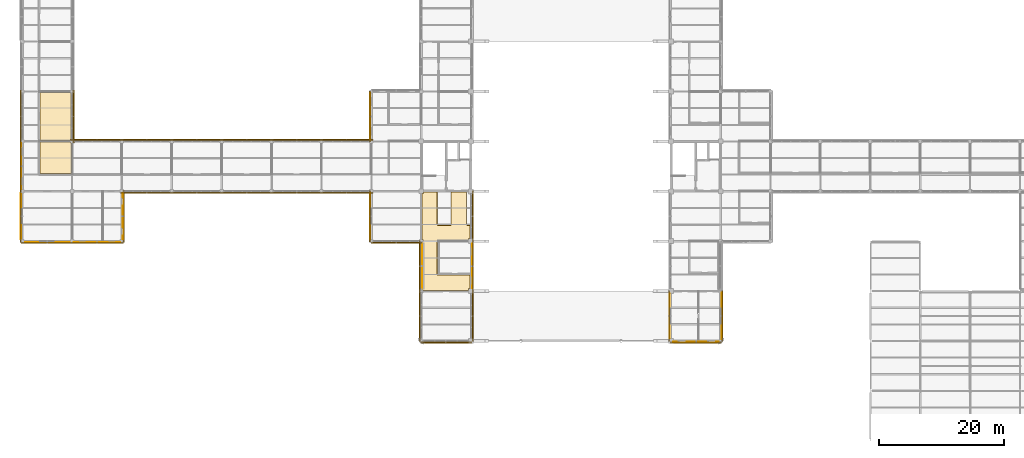
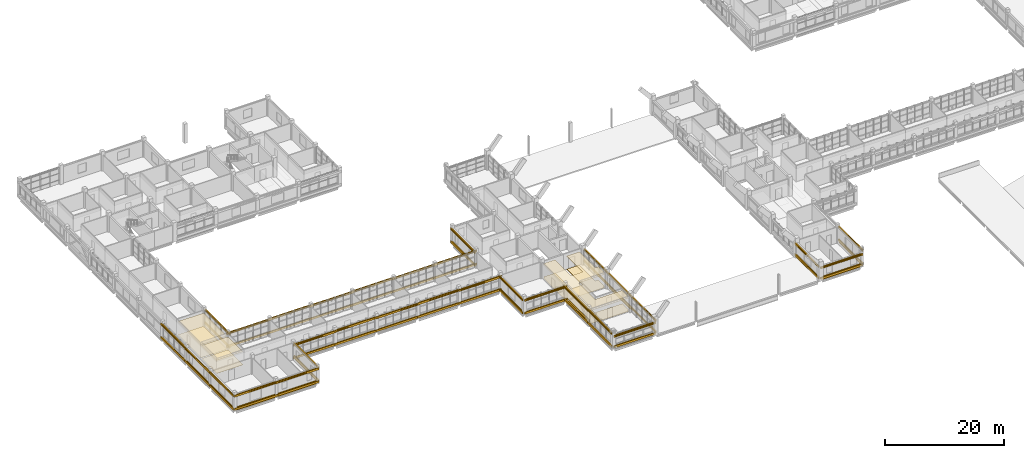
# One storey, part 83 of 92: 78 coverings, 30 shading devices.
"""IFC4 building model written with IfcOpenShell, lengths in metres."""

import ifcopenshell
import ifcopenshell.guid

model = None  # the IFC model being written
_history = None  # IfcOwnerHistory: only IFC2X3 demands one
_inside = {}  # id of a spatial element -> (the spatial element, [elements in it])
_under = {}  # id of a project, library or spatial element -> (it, [spatial elements below it])
_declared = {}  # id of a project -> (the project, [libraries it declares])
_typed = {}  # id of a type object -> (the type object, [elements of that type])
_made_of = {}  # id of a material, layer set ... -> (it, [elements and type objects made of it])


def new_model(schema):
    """Start an empty IFC model of exactly this schema.

    Asked for "IFC4X3", IfcOpenShell would pick the latest addendum, in which some entities
    have other attributes; the version numbers below select the first issue.
    IFC2X3 requires an IfcOwnerHistory on every rooted entity: one is made here for all.
    """
    global model, _history
    if schema == "IFC4X3":
        model = ifcopenshell.file(schema_version=(4, 3, 0, 0))
    else:
        model = ifcopenshell.file(schema=schema)
    _inside.clear()
    _under.clear()
    _declared.clear()
    _typed.clear()
    _made_of.clear()
    _history = None
    if model.schema == "IFC2X3":
        org = make("IfcOrganization", Name="unknown")
        user = make(
            "IfcPersonAndOrganization",
            ThePerson=make("IfcPerson", FamilyName="unknown"),
            TheOrganization=org,
        )
        app = make(
            "IfcApplication",
            ApplicationDeveloper=org,
            Version="unknown",
            ApplicationFullName="unknown",
            ApplicationIdentifier="unknown",
        )
        _history = make(
            "IfcOwnerHistory",
            OwningUser=user,
            OwningApplication=app,
            ChangeAction="ADDED",
            CreationDate=0,
        )
    return model


def make(cls, **values):
    """One entity of the class cls with the attributes given. An attribute that is None is left unset."""
    return model.create_entity(
        cls, **{name: value for name, value in values.items() if value is not None}
    )


def rooted(cls, **values):
    """An entity with a GlobalId (a new one), such as an element, a storey or a relation."""
    return make(cls, GlobalId=ifcopenshell.guid.new(), OwnerHistory=_history, **values)


def si_unit(unit_type, name, prefix=None):
    """IfcSIUnit, for example si_unit("LENGTHUNIT", "METRE", prefix="MILLI")."""
    return make("IfcSIUnit", UnitType=unit_type, Prefix=prefix, Name=name)


def derived_unit(unit_type, elements):
    """IfcDerivedUnit: a product of units, each with its exponent."""
    return make(
        "IfcDerivedUnit",
        Elements=[
            make("IfcDerivedUnitElement", Unit=unit, Exponent=power)
            for unit, power in elements
        ],
        UnitType=unit_type,
    )


def assignment(units):
    """IfcUnitAssignment: the units of a project."""
    return None if units is None else make("IfcUnitAssignment", Units=units)


def point(xyz):
    """IfcCartesianPoint."""
    return None if xyz is None else make("IfcCartesianPoint", Coordinates=xyz)


def direction(xyz):
    """IfcDirection."""
    return None if xyz is None else make("IfcDirection", DirectionRatios=xyz)


def frame(location, z_axis=None, x_axis=None):
    """IfcAxis2Placement3D, a coordinate frame: its origin and axes. An axis left out is left unset."""
    return make(
        "IfcAxis2Placement3D",
        Location=point(location),
        Axis=direction(z_axis),
        RefDirection=direction(x_axis),
    )


def frame_2d(location, x_axis=None):
    """IfcAxis2Placement2D, a coordinate frame in the plane: its origin and x axis."""
    return make(
        "IfcAxis2Placement2D", Location=point(location), RefDirection=direction(x_axis)
    )


def origin():
    """The frame at (0, 0, 0) with its axes left unset."""
    return frame((0.0, 0.0, 0.0))


def origin_2d():
    """The frame at (0, 0) in the plane with its x axis left unset."""
    return frame_2d((0.0, 0.0))


def place(relative_to, where):
    """IfcLocalPlacement: puts the frame where relative to a parent placement (None: the world)."""
    return make(
        "IfcLocalPlacement", PlacementRelTo=relative_to, RelativePlacement=where
    )


def context(
    kind, dimensions, precision=None, world=None, true_north=None, identifier=None
):
    """IfcGeometricRepresentationContext, for example the 3D "Model" context."""
    return make(
        "IfcGeometricRepresentationContext",
        ContextIdentifier=identifier,
        ContextType=kind,
        CoordinateSpaceDimension=dimensions,
        Precision=precision,
        WorldCoordinateSystem=world,
        TrueNorth=true_north,
    )


def subcontext(parent, identifier, kind, view, scale=None):
    """IfcGeometricRepresentationSubContext, for example "Body" below "Model"."""
    return make(
        "IfcGeometricRepresentationSubContext",
        ContextIdentifier=identifier,
        ContextType=kind,
        ParentContext=parent,
        TargetScale=scale,
        TargetView=view,
    )


def project(units=None, contexts=None):
    """IfcProject with its units and contexts."""
    return rooted(
        "IfcProject",
        Name="project",
        RepresentationContexts=contexts,
        UnitsInContext=assignment(units),
    )


def spatial(cls, under=None, at=None, **own):
    """A site, building, storey or space (cls), placed at a placement, below another one or the project."""
    s = rooted(cls, ObjectPlacement=at, **own)
    if under is not None:
        _under.setdefault(under.id(), (under, []))[1].append(s)
    return s


def polyline(points):
    """IfcPolyline through the points."""
    return make("IfcPolyline", Points=[point(p) for p in points])


def profile(cls, at=None, kind="AREA", **sizes):
    """A parametric profile (cls). Its sizes go by their IFC names, for example OverallWidth=200.0."""
    return make(cls, ProfileType=kind, Position=at, **sizes)


def rectangle(**sizes):
    """IfcRectangleProfileDef."""
    return profile("IfcRectangleProfileDef", **sizes)


def circle(**sizes):
    """IfcCircleProfileDef."""
    return profile("IfcCircleProfileDef", **sizes)


def outline(outer, holes=None, kind="AREA"):
    """IfcArbitraryClosedProfileDef: a profile drawn as a closed curve; with holes, ...WithVoids."""
    if holes is None:
        return make("IfcArbitraryClosedProfileDef", ProfileType=kind, OuterCurve=outer)
    return make(
        "IfcArbitraryProfileDefWithVoids",
        ProfileType=kind,
        OuterCurve=outer,
        InnerCurves=holes,
    )


def extrude(swept, where, along, depth):
    """IfcExtrudedAreaSolid: the profile swept, set in the frame where, extruded along a direction by depth."""
    return make(
        "IfcExtrudedAreaSolid",
        SweptArea=swept,
        Position=where,
        ExtrudedDirection=direction(along),
        Depth=depth,
    )


def shape(context_of_items, identifier, shape_type, items):
    """IfcShapeRepresentation: the items that make up one representation, for example the "Body"."""
    return make(
        "IfcShapeRepresentation",
        ContextOfItems=context_of_items,
        RepresentationIdentifier=identifier,
        RepresentationType=shape_type,
        Items=items,
    )


def material(Name=None, Category=None):
    """IfcMaterial."""
    return make("IfcMaterial", Name=Name, Category=Category)


def layer(
    of_material, thickness, ventilated=None, Name=None, Category=None, Priority=None
):
    """IfcMaterialLayer: one layer of a wall or slab, of a material (None: an air gap)."""
    return make(
        "IfcMaterialLayer",
        Material=of_material,
        LayerThickness=thickness,
        IsVentilated=ventilated,
        Name=Name,
        Category=Category,
        Priority=Priority,
    )


def layer_set(layers, Name=None):
    """IfcMaterialLayerSet."""
    return make("IfcMaterialLayerSet", MaterialLayers=layers, LayerSetName=Name)


def material_profile(
    of_material, cross_section, Name=None, Category=None, Priority=None
):
    """IfcMaterialProfile: a cross section and its material."""
    return make(
        "IfcMaterialProfile",
        Name=Name,
        Material=of_material,
        Profile=cross_section,
        Priority=Priority,
        Category=Category,
    )


def profile_set(profiles, Name=None, composite=None):
    """IfcMaterialProfileSet."""
    return make(
        "IfcMaterialProfileSet",
        Name=Name,
        MaterialProfiles=profiles,
        CompositeProfile=composite,
    )


def made_of(thing, what):
    """Note that an element or type object is made of a material, layer set ...; save() writes the relation."""
    if what is not None:
        _made_of.setdefault(what.id(), (what, []))[1].append(thing)
    return thing


def type_object(cls, material=None, **own):
    """A type object (cls), such as IfcWallType, which elements share."""
    return made_of(rooted(cls, **own), material)


def element(
    cls,
    number,
    at=None,
    inside=None,
    cuts=None,
    type_object=None,
    material=None,
    context=None,
    identifier="Body",
    shape_type=None,
    held_by="IfcProductDefinitionShape",
    body=None,
    shapes=None,
    **own,
):
    """One element of the class cls, such as IfcWall. Its Tag is "e" and its number.

    at: its placement. inside: the storey or other place that contains it. cuts: it is an
    opening in that element (IfcRelVoidsElement). A single representation is given by context,
    identifier, shape_type and body (its items); several are given by shapes. held_by: the class
    of the entity that holds the representations. save() writes the other relations.
    """
    e = rooted(cls, Tag="e%d" % number, ObjectPlacement=at, **own)
    if body is not None:
        shapes = [shape(context, identifier, shape_type, body)]
    if shapes is not None:
        e.Representation = make(held_by, Representations=shapes)
    if inside is not None:
        _inside.setdefault(inside.id(), (inside, []))[1].append(e)
    if cuts is not None:
        rooted(
            "IfcRelVoidsElement", RelatingBuildingElement=cuts, RelatedOpeningElement=e
        )
    if type_object is not None:
        _typed.setdefault(type_object.id(), (type_object, []))[1].append(e)
    return made_of(e, material)


def aggregate(whole, parts):
    """IfcRelAggregates: a whole, such as a stair, and the parts it consists of."""
    return rooted("IfcRelAggregates", RelatingObject=whole, RelatedObjects=parts)


def save(model, path):
    """Write the relations noted so far, then the file.

    IfcRelAggregates (storeys below a building ...), IfcRelContainedInSpatialStructure (elements
    in a storey), IfcRelDefinesByType, IfcRelAssociatesMaterial and IfcRelDeclares: one each for
    every whole, place, type object, material and project.
    """
    for whole, parts in _under.values():
        aggregate(whole, parts)
    for where, things in _inside.values():
        rooted(
            "IfcRelContainedInSpatialStructure",
            RelatedElements=things,
            RelatingStructure=where,
        )
    for kind, things in _typed.values():
        rooted("IfcRelDefinesByType", RelatedObjects=things, RelatingType=kind)
    for what, things in _made_of.values():
        rooted("IfcRelAssociatesMaterial", RelatedObjects=things, RelatingMaterial=what)
    for by, libraries in _declared.values():
        rooted("IfcRelDeclares", RelatingContext=by, RelatedDefinitions=libraries)
    model.write(path)


model = new_model("IFC4")

# Units and contexts
model_context = context("Model", 3, precision=1e-05, world=origin(), true_north=direction((0.0, 1.0)))
body_context = subcontext(model_context, "Body", "Model", "MODEL_VIEW")
ifc_project = project(units=[si_unit("LENGTHUNIT", "METRE"), si_unit("AREAUNIT", "SQUARE_METRE"), si_unit("VOLUMEUNIT", "CUBIC_METRE"), si_unit("PLANEANGLEUNIT", "RADIAN"), si_unit("MASSUNIT", "GRAM", prefix="KILO"), derived_unit("THERMALTRANSMITTANCEUNIT", [(si_unit("MASSUNIT", "GRAM", prefix="KILO"), 1), (si_unit("TIMEUNIT", "SECOND"), -3), (si_unit("THERMODYNAMICTEMPERATUREUNIT", "KELVIN"), -1)])], contexts=[model_context])

# Site, building, storey
site_placement = place(None, origin())
site = spatial("IfcSite", under=ifc_project, at=site_placement, CompositionType="ELEMENT")
building_placement = place(site_placement, origin())
building = spatial("IfcBuilding", under=site, at=building_placement, Name="Veyamyaing Civic Hall", CompositionType="ELEMENT")
storey_placement = place(building_placement, frame((0.0, 0.0, 17.820068359375)))
storey = spatial("IfcBuildingStorey", under=building, at=storey_placement, Name="L04", CompositionType="ELEMENT", Elevation=17.820068359375)

# Coverings
ifc_material_1 = material(Name="Buff sandstone ashlar cladding", Category="masonry")
ifc_layer_1 = layer(ifc_material_1, 0.050048828125, Name="Buff sandstone ashlar cladding")
ifc_layer_set_1 = layer_set([ifc_layer_1], Name="Buff sandstone ashlar cladding")
covering_type_1 = type_object("IfcCoveringType", Name="CL-01", PredefinedType="CLADDING", material=ifc_layer_set_1)
for number, where, z_axis, x_axis, name in (
    (1, (4.0, 39.839111328125, 0.044921875), (0.0, 0.0, 1.0), (1.0, 0.0, 0.0), "Facade spandrel cladding CL-01 L04 S 1.6"),
    (2, (-0.160888671875, 44.0, 0.044921875), (0.0, 0.0, 1.0), (0.0, 1.0, 0.0), "Facade spandrel cladding CL-01 L04 W 1.6"),
):
    element("IfcCovering", number, at=place(storey_placement, frame(where, z_axis=z_axis, x_axis=x_axis)), inside=storey, type_object=covering_type_1, Name=name, PredefinedType="CLADDING", context=body_context, shape_type="SweptSolid", body=[
        extrude(rectangle(XDim=7.39990234375, YDim=0.050048828125, at=origin_2d()), origin(), (0.0, 0.0, 1.0), 0.75),
    ])
ifc_material_2 = material(Name="Turquoise glazed ceramic tile cladding", Category="masonry")
ifc_layer_2 = layer(ifc_material_2, 0.034912109375, Name="Turquoise glazed ceramic tile cladding")
ifc_layer_set_2 = layer_set([ifc_layer_2], Name="Turquoise glazed ceramic tile cladding")
covering_type_2 = type_object("IfcCoveringType", Name="CL-02", PredefinedType="CLADDING", material=ifc_layer_set_2)
for number, where, z_axis, x_axis, name in (
    (3, (-0.153564453125, 52.0, 0.044921875), (0.0, 0.0, 1.0), (0.0, 1.0, 0.0), "Facade spandrel cladding CL-02 L04 W 1.7"),
    (4, (12.0, 39.846435546875, 0.044921875), (0.0, 0.0, 1.0), (1.0, 0.0, 0.0), "Facade spandrel cladding CL-02 L04 S 2.6"),
    (5, (16.153564453125, 44.0, 0.044921875), (0.0, 0.0, 1.0), (0.0, 1.0, 0.0), "Facade spandrel cladding CL-02 L04 E 2.6"),
    (6, (55.833984375, 44.0, 0.044921875), (0.0, 0.0, 1.0), (0.0, 1.0, 0.0), "Facade spandrel cladding CL-02 L04 W 8.6"),
    (7, (55.833984375, 60.0, 0.044921875), (0.0, 0.0, 1.0), (0.0, 1.0, 0.0), "Facade spandrel cladding CL-02 L04 W 8.8"),
    (8, (64.134033203125, 36.0, 0.044921875), (0.0, 0.0, 1.0), (0.0, 1.0, 0.0), "Facade spandrel cladding CL-02 L04 W 9.5"),
):
    element("IfcCovering", number, at=place(storey_placement, frame(where, z_axis=z_axis, x_axis=x_axis)), inside=storey, type_object=covering_type_2, Name=name, PredefinedType="CLADDING", context=body_context, shape_type="SweptSolid", body=[
        extrude(rectangle(XDim=7.39990234375, YDim=0.034912109375, at=origin_2d()), origin(), (0.0, 0.0, 1.0), 0.75),
    ])
covering_1_placement = place(storey_placement, frame((72.166015625, 36.0, 0.044921875), z_axis=(0.0, 0.0, 1.0), x_axis=(0.0, 1.0, 0.0)))
element("IfcCovering", 9, at=covering_1_placement, inside=storey, type_object=covering_type_2, Name="Facade spandrel cladding CL-02 L04 E 9.5", PredefinedType="CLADDING", context=body_context, shape_type="SweptSolid", body=[
    extrude(rectangle(XDim=7.14990234375, YDim=0.034912109375, at=origin_2d()), origin(), (0.0, 0.0, 1.0), 0.75),
])
covering_2_placement = place(storey_placement, frame((108.0625, 23.833984375, 0.044921875), z_axis=(0.0, 0.0, 1.0), x_axis=(1.0, 0.0, 0.0)))
element("IfcCovering", 10, at=covering_2_placement, inside=storey, type_object=covering_type_2, Name="Facade spandrel cladding CL-02 L04 S 14.4", PredefinedType="CLADDING", context=body_context, shape_type="SweptSolid", body=[
    extrude(rectangle(XDim=7.27490234375, YDim=0.034912109375, at=origin_2d()), origin(), (0.0, 0.0, 1.0), 0.75),
])
covering_3_placement = place(storey_placement, frame((103.833984375, 28.0, 0.044921875), z_axis=(0.0, 0.0, 1.0), x_axis=(0.0, 1.0, 0.0)))
element("IfcCovering", 11, at=covering_3_placement, inside=storey, type_object=covering_type_2, Name="Facade spandrel cladding CL-02 L04 W 14.4", PredefinedType="CLADDING", context=body_context, shape_type="SweptSolid", body=[
    extrude(rectangle(XDim=7.14990234375, YDim=0.034912109375, at=origin_2d()), origin(), (0.0, 0.0, 1.0), 0.75),
])
covering_4_placement = place(storey_placement, frame((112.166015625, 28.0, 0.044921875), z_axis=(0.0, 0.0, 1.0), x_axis=(0.0, 1.0, 0.0)))
element("IfcCovering", 12, at=covering_4_placement, inside=storey, type_object=covering_type_2, Name="Facade spandrel cladding CL-02 L04 E 14.4", PredefinedType="CLADDING", context=body_context, shape_type="SweptSolid", body=[
    extrude(rectangle(XDim=7.39990234375, YDim=0.034912109375, at=origin_2d()), origin(), (0.0, 0.0, 1.0), 0.75),
])
ifc_material_3 = material(Name="White powder-coated aluminium 6063-T6", Category="aluminium")
ifc_layer_3 = layer(ifc_material_3, 0.2099609375, Name="White powder-coated aluminium 6063-T6")
ifc_layer_set_3 = layer_set([ifc_layer_3], Name="White powder-coated aluminium 6063-T6")
covering_type_3 = type_object("IfcCoveringType", Name="CL-03", PredefinedType="CLADDING", material=ifc_layer_set_3)
for number, where, z_axis, x_axis, name in (
    (13, (4.0, 39.760009765625, 2.968994140625), (0.0, 0.0, 1.0), (1.0, 0.0, 0.0), "Continuous white head fascia ribbon CL-03 L04 S 1.6"),
    (14, (4.0, 39.760009765625, 0.280029296875), (0.0, 0.0, 1.0), (1.0, 0.0, 0.0), "Continuous white sill fascia ribbon CL-03 L04 S 1.6"),
    (15, (-0.239990234375, 44.0, 2.968994140625), (0.0, 0.0, 1.0), (0.0, 1.0, 0.0), "Continuous white head fascia ribbon CL-03 L04 W 1.6"),
    (16, (-0.239990234375, 44.0, 0.280029296875), (0.0, 0.0, 1.0), (0.0, 1.0, 0.0), "Continuous white sill fascia ribbon CL-03 L04 W 1.6"),
    (17, (-0.239990234375, 52.0, 2.908935546875), (0.0, 0.0, 1.0), (0.0, 1.0, 0.0), "Continuous white head fascia ribbon CL-03 L04 W 1.7"),
    (18, (-0.239990234375, 52.0, 0.280029296875), (0.0, 0.0, 1.0), (0.0, 1.0, 0.0), "Continuous white sill fascia ribbon CL-03 L04 W 1.7"),
    (19, (-0.239990234375, 60.0, 2.971923828125), (0.0, 0.0, 1.0), (0.0, 1.0, 0.0), "Continuous white head fascia ribbon CL-03 L04 W 1.8"),
    (20, (-0.239990234375, 60.0, 0.280029296875), (0.0, 0.0, 1.0), (0.0, 1.0, 0.0), "Continuous white sill fascia ribbon CL-03 L04 W 1.8"),
    (21, (8.239990234375, 60.0, 2.905029296875), (0.0, 0.0, 1.0), (0.0, 1.0, 0.0), "Continuous white head fascia ribbon CL-03 L04 E 1.8"),
    (22, (8.239990234375, 60.0, 0.280029296875), (0.0, 0.0, 1.0), (0.0, 1.0, 0.0), "Continuous white sill fascia ribbon CL-03 L04 E 1.8"),
    (23, (12.0, 39.760009765625, 2.908935546875), (0.0, 0.0, 1.0), (1.0, 0.0, 0.0), "Continuous white head fascia ribbon CL-03 L04 S 2.6"),
    (24, (12.0, 39.760009765625, 0.280029296875), (0.0, 0.0, 1.0), (1.0, 0.0, 0.0), "Continuous white sill fascia ribbon CL-03 L04 S 2.6"),
    (25, (16.239990234375, 44.0, 2.971923828125), (0.0, 0.0, 1.0), (0.0, 1.0, 0.0), "Continuous white head fascia ribbon CL-03 L04 E 2.6"),
    (26, (16.239990234375, 44.0, 0.280029296875), (0.0, 0.0, 1.0), (0.0, 1.0, 0.0), "Continuous white sill fascia ribbon CL-03 L04 E 2.6"),
    (27, (12.0, 56.239990234375, 2.905029296875), (0.0, 0.0, 1.0), (1.0, 0.0, 0.0), "Continuous white head fascia ribbon CL-03 L04 N 2.7"),
    (28, (12.0, 56.239990234375, 0.280029296875), (0.0, 0.0, 1.0), (1.0, 0.0, 0.0), "Continuous white sill fascia ribbon CL-03 L04 N 2.7"),
    (29, (20.0, 47.760009765625, 2.905029296875), (0.0, 0.0, 1.0), (1.0, 0.0, 0.0), "Continuous white head fascia ribbon CL-03 L04 S 3.7"),
    (30, (20.0, 47.760009765625, 0.280029296875), (0.0, 0.0, 1.0), (1.0, 0.0, 0.0), "Continuous white sill fascia ribbon CL-03 L04 S 3.7"),
    (31, (20.0, 56.239990234375, 2.968994140625), (0.0, 0.0, 1.0), (1.0, 0.0, 0.0), "Continuous white head fascia ribbon CL-03 L04 N 3.7"),
    (32, (20.0, 56.239990234375, 0.280029296875), (0.0, 0.0, 1.0), (1.0, 0.0, 0.0), "Continuous white sill fascia ribbon CL-03 L04 N 3.7"),
    (33, (28.0, 47.760009765625, 2.968994140625), (0.0, 0.0, 1.0), (1.0, 0.0, 0.0), "Continuous white head fascia ribbon CL-03 L04 S 4.7"),
    (34, (28.0, 47.760009765625, 0.280029296875), (0.0, 0.0, 1.0), (1.0, 0.0, 0.0), "Continuous white sill fascia ribbon CL-03 L04 S 4.7"),
    (35, (28.0, 56.239990234375, 2.908935546875), (0.0, 0.0, 1.0), (1.0, 0.0, 0.0), "Continuous white head fascia ribbon CL-03 L04 N 4.7"),
    (36, (28.0, 56.239990234375, 0.280029296875), (0.0, 0.0, 1.0), (1.0, 0.0, 0.0), "Continuous white sill fascia ribbon CL-03 L04 N 4.7"),
    (37, (36.0, 47.760009765625, 2.908935546875), (0.0, 0.0, 1.0), (1.0, 0.0, 0.0), "Continuous white head fascia ribbon CL-03 L04 S 5.7"),
    (38, (36.0, 47.760009765625, 0.280029296875), (0.0, 0.0, 1.0), (1.0, 0.0, 0.0), "Continuous white sill fascia ribbon CL-03 L04 S 5.7"),
    (39, (36.0, 56.239990234375, 2.971923828125), (0.0, 0.0, 1.0), (1.0, 0.0, 0.0), "Continuous white head fascia ribbon CL-03 L04 N 5.7"),
    (40, (36.0, 56.239990234375, 0.280029296875), (0.0, 0.0, 1.0), (1.0, 0.0, 0.0), "Continuous white sill fascia ribbon CL-03 L04 N 5.7"),
    (41, (44.0, 47.760009765625, 2.971923828125), (0.0, 0.0, 1.0), (1.0, 0.0, 0.0), "Continuous white head fascia ribbon CL-03 L04 S 6.7"),
    (42, (44.0, 47.760009765625, 0.280029296875), (0.0, 0.0, 1.0), (1.0, 0.0, 0.0), "Continuous white sill fascia ribbon CL-03 L04 S 6.7"),
    (43, (44.0, 56.239990234375, 2.905029296875), (0.0, 0.0, 1.0), (1.0, 0.0, 0.0), "Continuous white head fascia ribbon CL-03 L04 N 6.7"),
    (44, (44.0, 56.239990234375, 0.280029296875), (0.0, 0.0, 1.0), (1.0, 0.0, 0.0), "Continuous white sill fascia ribbon CL-03 L04 N 6.7"),
    (45, (52.0, 47.760009765625, 2.905029296875), (0.0, 0.0, 1.0), (1.0, 0.0, 0.0), "Continuous white head fascia ribbon CL-03 L04 S 7.7"),
    (46, (52.0, 47.760009765625, 0.280029296875), (0.0, 0.0, 1.0), (1.0, 0.0, 0.0), "Continuous white sill fascia ribbon CL-03 L04 S 7.7"),
    (47, (52.0, 56.239990234375, 2.968994140625), (0.0, 0.0, 1.0), (1.0, 0.0, 0.0), "Continuous white head fascia ribbon CL-03 L04 N 7.7"),
    (48, (52.0, 56.239990234375, 0.280029296875), (0.0, 0.0, 1.0), (1.0, 0.0, 0.0), "Continuous white sill fascia ribbon CL-03 L04 N 7.7"),
):
    element("IfcCovering", number, at=place(storey_placement, frame(where, z_axis=z_axis, x_axis=x_axis)), inside=storey, type_object=covering_type_3, Name=name, PredefinedType="CLADDING", context=body_context, shape_type="SweptSolid", body=[
        extrude(rectangle(XDim=8.360107421875, YDim=0.2099609375, at=origin_2d()), origin(), (0.0, 0.0, 1.0), 0.39990234375),
    ])
for number, where, z_axis, x_axis, name in (
    (49, (60.0, 39.760009765625, 2.905029296875), (0.0, 0.0, 1.0), (1.0, 0.0, 0.0), "Continuous white head fascia ribbon CL-03 L04 S 8.6"),
    (50, (60.0, 39.760009765625, 0.280029296875), (0.0, 0.0, 1.0), (1.0, 0.0, 0.0), "Continuous white sill fascia ribbon CL-03 L04 S 8.6"),
    (51, (55.760009765625, 44.0, 2.905029296875), (0.0, 0.0, 1.0), (0.0, 1.0, 0.0), "Continuous white head fascia ribbon CL-03 L04 W 8.6"),
    (52, (55.760009765625, 44.0, 0.280029296875), (0.0, 0.0, 1.0), (0.0, 1.0, 0.0), "Continuous white sill fascia ribbon CL-03 L04 W 8.6"),
    (53, (55.760009765625, 60.0, 2.908935546875), (0.0, 0.0, 1.0), (0.0, 1.0, 0.0), "Continuous white head fascia ribbon CL-03 L04 W 8.8"),
    (54, (55.760009765625, 60.0, 0.280029296875), (0.0, 0.0, 1.0), (0.0, 1.0, 0.0), "Continuous white sill fascia ribbon CL-03 L04 W 8.8"),
    (55, (68.0, 23.760009765625, 2.43701171875), (0.0, 0.0, 1.0), (1.0, 0.0, 0.0), "Continuous white head fascia ribbon CL-03 L04 S 9.4"),
    (56, (68.0, 23.760009765625, 0.280029296875), (0.0, 0.0, 1.0), (1.0, 0.0, 0.0), "Continuous white sill fascia ribbon CL-03 L04 S 9.4"),
    (57, (63.760009765625, 28.0, 2.971923828125), (0.0, 0.0, 1.0), (0.0, 1.0, 0.0), "Continuous white head fascia ribbon CL-03 L04 W 9.4"),
    (58, (63.760009765625, 28.0, 0.280029296875), (0.0, 0.0, 1.0), (0.0, 1.0, 0.0), "Continuous white sill fascia ribbon CL-03 L04 W 9.4"),
    (59, (72.239990234375, 28.0, 2.6220703125), (0.0, 0.0, 1.0), (0.0, 1.0, 0.0), "Continuous white head fascia ribbon CL-03 L04 E 9.4"),
    (60, (72.239990234375, 28.0, 0.280029296875), (0.0, 0.0, 1.0), (0.0, 1.0, 0.0), "Continuous white sill fascia ribbon CL-03 L04 E 9.4"),
    (61, (63.760009765625, 36.0, 2.905029296875), (0.0, 0.0, 1.0), (0.0, 1.0, 0.0), "Continuous white head fascia ribbon CL-03 L04 W 9.5"),
    (62, (63.760009765625, 36.0, 0.280029296875), (0.0, 0.0, 1.0), (0.0, 1.0, 0.0), "Continuous white sill fascia ribbon CL-03 L04 W 9.5"),
    (63, (72.239990234375, 36.0, 2.6220703125), (0.0, 0.0, 1.0), (0.0, 1.0, 0.0), "Continuous white head fascia ribbon CL-03 L04 E 9.5"),
    (64, (72.239990234375, 36.0, 0.280029296875), (0.0, 0.0, 1.0), (0.0, 1.0, 0.0), "Continuous white sill fascia ribbon CL-03 L04 E 9.5"),
    (65, (72.239990234375, 44.0, 2.6220703125), (0.0, 0.0, 1.0), (0.0, 1.0, 0.0), "Continuous white head fascia ribbon CL-03 L04 E 9.6"),
    (66, (72.239990234375, 44.0, 0.280029296875), (0.0, 0.0, 1.0), (0.0, 1.0, 0.0), "Continuous white sill fascia ribbon CL-03 L04 E 9.6"),
    (67, (108.0, 23.760009765625, 2.43701171875), (0.0, 0.0, 1.0), (1.0, 0.0, 0.0), "Continuous white head fascia ribbon CL-03 L04 S 14.4"),
    (68, (108.0, 23.760009765625, 0.280029296875), (0.0, 0.0, 1.0), (1.0, 0.0, 0.0), "Continuous white sill fascia ribbon CL-03 L04 S 14.4"),
    (69, (103.760009765625, 28.0, 2.6220703125), (0.0, 0.0, 1.0), (0.0, 1.0, 0.0), "Continuous white head fascia ribbon CL-03 L04 W 14.4"),
    (70, (103.760009765625, 28.0, 0.280029296875), (0.0, 0.0, 1.0), (0.0, 1.0, 0.0), "Continuous white sill fascia ribbon CL-03 L04 W 14.4"),
    (71, (112.239990234375, 28.0, 2.968994140625), (0.0, 0.0, 1.0), (0.0, 1.0, 0.0), "Continuous white head fascia ribbon CL-03 L04 E 14.4"),
    (72, (112.239990234375, 28.0, 0.280029296875), (0.0, 0.0, 1.0), (0.0, 1.0, 0.0), "Continuous white sill fascia ribbon CL-03 L04 E 14.4"),
):
    element("IfcCovering", number, at=place(storey_placement, frame(where, z_axis=z_axis, x_axis=x_axis)), inside=storey, type_object=covering_type_3, Name=name, PredefinedType="CLADDING", context=body_context, shape_type="SweptSolid", body=[
        extrude(rectangle(XDim=8.1201171875, YDim=0.2099609375, at=origin_2d()), origin(), (0.0, 0.0, 1.0), 0.39990234375),
    ])
ifc_material_4 = material(Name="Perforated acoustic gypsum ceiling board")
ifc_layer_4 = layer(ifc_material_4, 0.02490234375, Name="Perforated acoustic gypsum ceiling board")
ifc_layer_set_4 = layer_set([ifc_layer_4], Name="Perforated acoustic gypsum ceiling board")
covering_type_4 = type_object("IfcCoveringType", Name="CLG-01", PredefinedType="CEILING", material=ifc_layer_set_4)
covering_5_placement = place(storey_placement, frame((0.0, 0.0, 2.699951171875)))
element("IfcCovering", 73, at=covering_5_placement, inside=storey, type_object=covering_type_4, Name="Acoustic suspended ceiling CLG-01 L04-C03", PredefinedType="CEILING", context=body_context, shape_type="SweptSolid", body=[
    extrude(outline(polyline([(66.574951171875, 42.652587890625), (66.581298828125, 42.62158203125), (66.597412109375, 42.597412109375), (66.62158203125, 42.581298828125), (66.652587890625, 42.574951171875), (68.6982421875, 42.574951171875), (68.7216796875, 42.57861328125), (68.741455078125, 42.587890625), (68.7578125, 42.6025390625), (68.768798828125, 42.620849609375), (68.77490234375, 42.652587890625), (68.77490234375, 47.925048828125), (71.27490234375, 47.925048828125), (71.275390625, 42.643310546875), (71.28076171875, 42.6220703125), (71.297607421875, 42.5966796875), (71.314697265625, 42.583984375), (71.3349609375, 42.576904296875), (71.844970703125, 42.574951171875), (71.844970703125, 40.385009765625), (71.614990234375, 40.385009765625), (71.614990234375, 40.074951171875), (66.652587890625, 40.074951171875), (66.62158203125, 40.06884765625), (66.597412109375, 40.052734375), (66.581298828125, 40.028564453125), (66.574951171875, 39.99755859375), (66.574951171875, 34.652587890625), (66.581298828125, 34.62158203125), (66.597412109375, 34.597412109375), (66.62158203125, 34.581298828125), (66.652587890625, 34.574951171875), (71.844970703125, 34.574951171875), (71.844970703125, 32.385009765625), (71.614990234375, 32.385009765625), (71.614990234375, 32.074951171875), (64.260009765625, 32.074951171875), (64.260009765625, 32.260009765625), (64.155029296875, 32.260009765625), (64.155029296875, 39.739990234375), (64.260009765625, 39.739990234375), (64.260009765625, 40.260009765625), (64.074951171875, 40.260009765625), (64.074951171875, 47.6650390625), (64.3349609375, 47.6650390625), (64.3349609375, 47.925048828125), (66.574951171875, 47.925048828125), (66.574951171875, 42.652587890625)])), origin(), (0.0, 0.0, 1.0), 0.02490234375),
])
covering_6_placement = place(storey_placement, frame((0.0, 0.0, 2.699951171875)))
element("IfcCovering", 74, at=covering_6_placement, inside=storey, type_object=covering_type_4, Name="Acoustic suspended ceiling CLG-01 L04-R001", PredefinedType="CEILING", context=body_context, shape_type="SweptSolid", body=[
    extrude(outline(polyline([(2.824951171875, 50.824951171875), (2.824951171875, 55.905029296875), (7.739990234375, 55.905029296875), (7.739990234375, 55.739990234375), (7.905029296875, 55.739990234375), (7.905029296875, 50.824951171875), (2.824951171875, 50.824951171875)])), origin(), (0.0, 0.0, 1.0), 0.02490234375),
])
covering_7_placement = place(storey_placement, frame((0.0, 0.0, 2.699951171875)))
element("IfcCovering", 75, at=covering_7_placement, inside=storey, type_object=covering_type_4, Name="Acoustic suspended ceiling CLG-01 L04-R002", PredefinedType="CEILING", context=body_context, shape_type="SweptSolid", body=[
    extrude(outline(polyline([(2.824951171875, 63.905029296875), (7.739990234375, 63.905029296875), (7.739990234375, 63.739990234375), (7.844970703125, 63.739990234375), (7.844970703125, 56.260009765625), (7.739990234375, 56.260009765625), (7.739990234375, 56.094970703125), (2.824951171875, 56.094970703125), (2.824951171875, 63.905029296875)])), origin(), (0.0, 0.0, 1.0), 0.02490234375),
])
ifc_material_5 = material(Name="Polished Mandalay marble and terrazzo flooring", Category="masonry")
ifc_layer_5 = layer(ifc_material_5, 0.030029296875, Name="Polished Mandalay marble and terrazzo flooring")
ifc_layer_set_5 = layer_set([ifc_layer_5], Name="Polished Mandalay marble and terrazzo flooring")
covering_type_5 = type_object("IfcCoveringType", Name="FLR-01", PredefinedType="FLOORING", material=ifc_layer_set_5)
covering_8_placement = place(storey_placement, origin())
element("IfcCovering", 76, at=covering_8_placement, inside=storey, type_object=covering_type_5, Name="Stone and terrazzo flooring FLR-01 L04-C03", PredefinedType="FLOORING", context=body_context, shape_type="SweptSolid", body=[
    extrude(outline(polyline([(66.550048828125, 42.64990234375), (66.5576171875, 42.61181640625), (66.579345703125, 42.579345703125), (66.61181640625, 42.5576171875), (66.64990234375, 42.550048828125), (68.699951171875, 42.550048828125), (68.72900390625, 42.55419921875), (68.755615234375, 42.56689453125), (68.77734375, 42.586669921875), (68.79248046875, 42.61181640625), (68.800048828125, 42.64990234375), (68.800048828125, 47.89990234375), (71.25, 47.89990234375), (71.25048828125, 42.64013671875), (71.257568359375, 42.61181640625), (71.279296875, 42.579345703125), (71.302978515625, 42.561767578125), (71.33056640625, 42.552001953125), (71.820068359375, 42.550048828125), (71.820068359375, 40.409912109375), (71.590087890625, 40.409912109375), (71.590087890625, 40.10009765625), (66.64990234375, 40.10009765625), (66.61181640625, 40.09228515625), (66.579345703125, 40.07080078125), (66.5576171875, 40.038330078125), (66.550048828125, 40.0), (66.550048828125, 34.64990234375), (66.5576171875, 34.61181640625), (66.579345703125, 34.579345703125), (66.61181640625, 34.5576171875), (66.64990234375, 34.550048828125), (71.820068359375, 34.550048828125), (71.820068359375, 32.409912109375), (71.590087890625, 32.409912109375), (71.590087890625, 32.10009765625), (64.284912109375, 32.10009765625), (64.284912109375, 32.284912109375), (64.179931640625, 32.284912109375), (64.179931640625, 39.715087890625), (64.284912109375, 39.715087890625), (64.284912109375, 40.284912109375), (64.10009765625, 40.284912109375), (64.10009765625, 47.639892578125), (64.360107421875, 47.639892578125), (64.360107421875, 47.89990234375), (66.550048828125, 47.89990234375), (66.550048828125, 42.64990234375)])), origin(), (0.0, 0.0, 1.0), 0.030029296875),
])
covering_9_placement = place(storey_placement, origin())
element("IfcCovering", 77, at=covering_9_placement, inside=storey, type_object=covering_type_5, Name="Stone and terrazzo flooring FLR-01 L04-R001", PredefinedType="FLOORING", context=body_context, shape_type="SweptSolid", body=[
    extrude(outline(polyline([(2.85009765625, 50.85009765625), (2.85009765625, 55.8798828125), (7.715087890625, 55.8798828125), (7.715087890625, 55.715087890625), (7.8798828125, 55.715087890625), (7.8798828125, 50.85009765625), (2.85009765625, 50.85009765625)])), origin(), (0.0, 0.0, 1.0), 0.030029296875),
])
covering_10_placement = place(storey_placement, origin())
element("IfcCovering", 78, at=covering_10_placement, inside=storey, type_object=covering_type_5, Name="Stone and terrazzo flooring FLR-01 L04-R002", PredefinedType="FLOORING", context=body_context, shape_type="SweptSolid", body=[
    extrude(outline(polyline([(2.85009765625, 63.8798828125), (7.715087890625, 63.8798828125), (7.715087890625, 63.715087890625), (7.820068359375, 63.715087890625), (7.820068359375, 56.284912109375), (7.715087890625, 56.284912109375), (7.715087890625, 56.1201171875), (2.85009765625, 56.1201171875), (2.85009765625, 63.8798828125)])), origin(), (0.0, 0.0, 1.0), 0.030029296875),
])

# Shading devices
ifc_material_profile_1 = material_profile(ifc_material_3, circle(Radius=0.110107421875, at=origin_2d()), Name="SHADE-TUBE-220")
ifc_profile_set_1 = profile_set([ifc_material_profile_1], Name="White powder-coated aluminium 6063-T6")
shading_device_type_1 = type_object("IfcShadingDeviceType", Name="SH-01", PredefinedType="USERDEFINED", material=ifc_profile_set_1)
for number, where, z_axis, x_axis, name in (
    (79, (56.260009765625, 39.760009765625, 3.06494140625), (1.0, 0.0, 0.0), (0.0, 1.0, 0.0), "Horizontal white sunshade ribbon SH-01 L04 S 8.6"),
    (80, (55.760009765625, 40.260009765625, 3.06494140625), (0.0, 1.0, 0.0), (-1.0, 0.0, 0.0), "Horizontal white sunshade ribbon SH-01 L04 W 8.6"),
    (81, (55.760009765625, 56.260009765625, 3.06884765625), (0.0, 1.0, 0.0), (-1.0, 0.0, 0.0), "Horizontal white sunshade ribbon SH-01 L04 W 8.8"),
):
    element("IfcShadingDevice", number, at=place(storey_placement, frame(where, z_axis=z_axis, x_axis=x_axis)), inside=storey, type_object=shading_device_type_1, Name=name, ObjectType="SUNSHADE", PredefinedType="USERDEFINED", context=body_context, shape_type="SweptSolid", body=[
        extrude(circle(Radius=0.110107421875, at=origin_2d()), origin(), (0.0, 0.0, 1.0), 7.47998046875),
    ])
shading_device_1_placement = place(storey_placement, frame((64.260009765625, 23.760009765625, 2.596923828125), z_axis=(1.0, 0.0, 0.0), x_axis=(0.0, 1.0, 0.0)))
element("IfcShadingDevice", 82, at=shading_device_1_placement, inside=storey, type_object=shading_device_type_1, Name="Horizontal white sunshade ribbon SH-01 L04 S 9.4", ObjectType="SUNSHADE", PredefinedType="USERDEFINED", context=body_context, shape_type="SweptSolid", body=[
    extrude(circle(Radius=0.110107421875, at=origin_2d()), origin(), (0.0, 0.0, 1.0), 7.35498046875),
])
shading_device_2_placement = place(storey_placement, frame((63.760009765625, 24.260009765625, 3.1318359375), z_axis=(0.0, 1.0, 0.0), x_axis=(-1.0, 0.0, 0.0)))
element("IfcShadingDevice", 83, at=shading_device_2_placement, inside=storey, type_object=shading_device_type_1, Name="Horizontal white sunshade ribbon SH-01 L04 W 9.4", ObjectType="SUNSHADE", PredefinedType="USERDEFINED", context=body_context, shape_type="SweptSolid", body=[
    extrude(circle(Radius=0.110107421875, at=origin_2d()), origin(), (0.0, 0.0, 1.0), 7.47998046875),
])
shading_device_3_placement = place(storey_placement, frame((72.239990234375, 24.385009765625, 2.781982421875), z_axis=(0.0, 1.0, 0.0), x_axis=(-1.0, 0.0, 0.0)))
element("IfcShadingDevice", 84, at=shading_device_3_placement, inside=storey, type_object=shading_device_type_1, Name="Horizontal white sunshade ribbon SH-01 L04 E 9.4", ObjectType="SUNSHADE", PredefinedType="USERDEFINED", context=body_context, shape_type="SweptSolid", body=[
    extrude(circle(Radius=0.110107421875, at=origin_2d()), origin(), (0.0, 0.0, 1.0), 7.22998046875),
])
shading_device_4_placement = place(storey_placement, frame((63.760009765625, 32.260009765625, 3.06494140625), z_axis=(0.0, 1.0, 0.0), x_axis=(-1.0, 0.0, 0.0)))
element("IfcShadingDevice", 85, at=shading_device_4_placement, inside=storey, type_object=shading_device_type_1, Name="Horizontal white sunshade ribbon SH-01 L04 W 9.5", ObjectType="SUNSHADE", PredefinedType="USERDEFINED", context=body_context, shape_type="SweptSolid", body=[
    extrude(circle(Radius=0.110107421875, at=origin_2d()), origin(), (0.0, 0.0, 1.0), 7.47998046875),
])
for number, where, z_axis, x_axis, name in (
    (86, (72.239990234375, 32.385009765625, 2.781982421875), (0.0, 1.0, 0.0), (-1.0, 0.0, 0.0), "Horizontal white sunshade ribbon SH-01 L04 E 9.5"),
    (87, (72.239990234375, 40.385009765625, 2.781982421875), (0.0, 1.0, 0.0), (-1.0, 0.0, 0.0), "Horizontal white sunshade ribbon SH-01 L04 E 9.6"),
):
    element("IfcShadingDevice", number, at=place(storey_placement, frame(where, z_axis=z_axis, x_axis=x_axis)), inside=storey, type_object=shading_device_type_1, Name=name, ObjectType="SUNSHADE", PredefinedType="USERDEFINED", context=body_context, shape_type="SweptSolid", body=[
        extrude(circle(Radius=0.110107421875, at=origin_2d()), origin(), (0.0, 0.0, 1.0), 7.22998046875),
    ])
shading_device_5_placement = place(storey_placement, frame((104.385009765625, 23.760009765625, 2.596923828125), z_axis=(1.0, 0.0, 0.0), x_axis=(0.0, 1.0, 0.0)))
element("IfcShadingDevice", 88, at=shading_device_5_placement, inside=storey, type_object=shading_device_type_1, Name="Horizontal white sunshade ribbon SH-01 L04 S 14.4", ObjectType="SUNSHADE", PredefinedType="USERDEFINED", context=body_context, shape_type="SweptSolid", body=[
    extrude(circle(Radius=0.110107421875, at=origin_2d()), origin(), (0.0, 0.0, 1.0), 7.35498046875),
])
shading_device_6_placement = place(storey_placement, frame((103.760009765625, 24.385009765625, 2.781982421875), z_axis=(0.0, 1.0, 0.0), x_axis=(-1.0, 0.0, 0.0)))
element("IfcShadingDevice", 89, at=shading_device_6_placement, inside=storey, type_object=shading_device_type_1, Name="Horizontal white sunshade ribbon SH-01 L04 W 14.4", ObjectType="SUNSHADE", PredefinedType="USERDEFINED", context=body_context, shape_type="SweptSolid", body=[
    extrude(circle(Radius=0.110107421875, at=origin_2d()), origin(), (0.0, 0.0, 1.0), 7.22998046875),
])
shading_device_7_placement = place(storey_placement, frame((112.239990234375, 24.260009765625, 3.12890625), z_axis=(0.0, 1.0, 0.0), x_axis=(-1.0, 0.0, 0.0)))
element("IfcShadingDevice", 90, at=shading_device_7_placement, inside=storey, type_object=shading_device_type_1, Name="Horizontal white sunshade ribbon SH-01 L04 E 14.4", ObjectType="SUNSHADE", PredefinedType="USERDEFINED", context=body_context, shape_type="SweptSolid", body=[
    extrude(circle(Radius=0.110107421875, at=origin_2d()), origin(), (0.0, 0.0, 1.0), 7.47998046875),
])
ifc_material_profile_2 = material_profile(ifc_material_3, circle(Radius=0.090087890625, at=origin_2d()), Name="SHADE-TUBE-180")
ifc_profile_set_2 = profile_set([ifc_material_profile_2], Name="White powder-coated aluminium 6063-T6")
shading_device_type_2 = type_object("IfcShadingDeviceType", Name="SH-02", PredefinedType="USERDEFINED", material=ifc_profile_set_2)
for number, where, z_axis, x_axis, name in (
    (91, (0.260009765625, 39.760009765625, 3.12890625), (1.0, 0.0, 0.0), (0.0, 1.0, 0.0), "Horizontal white sunshade ribbon SH-02 L04 S 1.6"),
    (92, (-0.239990234375, 40.260009765625, 3.12890625), (0.0, 1.0, 0.0), (-1.0, 0.0, 0.0), "Horizontal white sunshade ribbon SH-02 L04 W 1.6"),
    (93, (-0.239990234375, 48.260009765625, 3.06884765625), (0.0, 1.0, 0.0), (-1.0, 0.0, 0.0), "Horizontal white sunshade ribbon SH-02 L04 W 1.7"),
    (94, (-0.239990234375, 56.260009765625, 3.1318359375), (0.0, 1.0, 0.0), (-1.0, 0.0, 0.0), "Horizontal white sunshade ribbon SH-02 L04 W 1.8"),
    (95, (8.239990234375, 56.260009765625, 3.06494140625), (0.0, 1.0, 0.0), (-1.0, 0.0, 0.0), "Horizontal white sunshade ribbon SH-02 L04 E 1.8"),
    (96, (8.260009765625, 39.760009765625, 3.06884765625), (1.0, 0.0, 0.0), (0.0, 1.0, 0.0), "Horizontal white sunshade ribbon SH-02 L04 S 2.6"),
    (97, (16.239990234375, 40.260009765625, 3.1318359375), (0.0, 1.0, 0.0), (-1.0, 0.0, 0.0), "Horizontal white sunshade ribbon SH-02 L04 E 2.6"),
    (98, (8.260009765625, 56.239990234375, 3.06494140625), (1.0, 0.0, 0.0), (0.0, 1.0, 0.0), "Horizontal white sunshade ribbon SH-02 L04 N 2.7"),
    (99, (16.260009765625, 47.760009765625, 3.06494140625), (1.0, 0.0, 0.0), (0.0, 1.0, 0.0), "Horizontal white sunshade ribbon SH-02 L04 S 3.7"),
    (100, (16.260009765625, 56.239990234375, 3.12890625), (1.0, 0.0, 0.0), (0.0, 1.0, 0.0), "Horizontal white sunshade ribbon SH-02 L04 N 3.7"),
    (101, (24.260009765625, 47.760009765625, 3.12890625), (1.0, 0.0, 0.0), (0.0, 1.0, 0.0), "Horizontal white sunshade ribbon SH-02 L04 S 4.7"),
    (102, (24.260009765625, 56.239990234375, 3.06884765625), (1.0, 0.0, 0.0), (0.0, 1.0, 0.0), "Horizontal white sunshade ribbon SH-02 L04 N 4.7"),
    (103, (32.260009765625, 47.760009765625, 3.06884765625), (1.0, 0.0, 0.0), (0.0, 1.0, 0.0), "Horizontal white sunshade ribbon SH-02 L04 S 5.7"),
    (104, (32.260009765625, 56.239990234375, 3.1318359375), (1.0, 0.0, 0.0), (0.0, 1.0, 0.0), "Horizontal white sunshade ribbon SH-02 L04 N 5.7"),
    (105, (40.260009765625, 47.760009765625, 3.1318359375), (1.0, 0.0, 0.0), (0.0, 1.0, 0.0), "Horizontal white sunshade ribbon SH-02 L04 S 6.7"),
    (106, (40.260009765625, 56.239990234375, 3.06494140625), (1.0, 0.0, 0.0), (0.0, 1.0, 0.0), "Horizontal white sunshade ribbon SH-02 L04 N 6.7"),
    (107, (48.260009765625, 47.760009765625, 3.06494140625), (1.0, 0.0, 0.0), (0.0, 1.0, 0.0), "Horizontal white sunshade ribbon SH-02 L04 S 7.7"),
    (108, (48.260009765625, 56.239990234375, 3.12890625), (1.0, 0.0, 0.0), (0.0, 1.0, 0.0), "Horizontal white sunshade ribbon SH-02 L04 N 7.7"),
):
    element("IfcShadingDevice", number, at=place(storey_placement, frame(where, z_axis=z_axis, x_axis=x_axis)), inside=storey, type_object=shading_device_type_2, Name=name, ObjectType="SUNSHADE", PredefinedType="USERDEFINED", context=body_context, shape_type="SweptSolid", body=[
        extrude(circle(Radius=0.090087890625, at=origin_2d()), origin(), (0.0, 0.0, 1.0), 7.47998046875),
    ])

save(model, "model.ifc")
